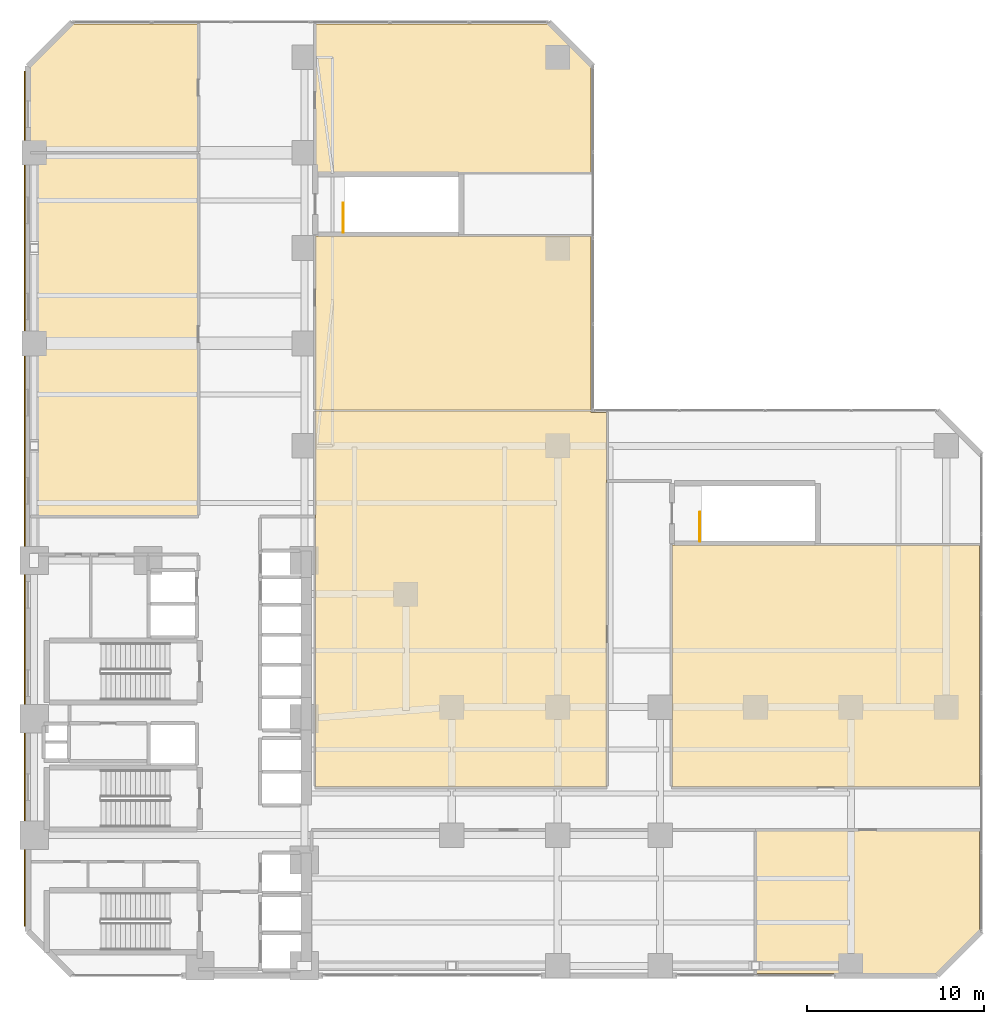
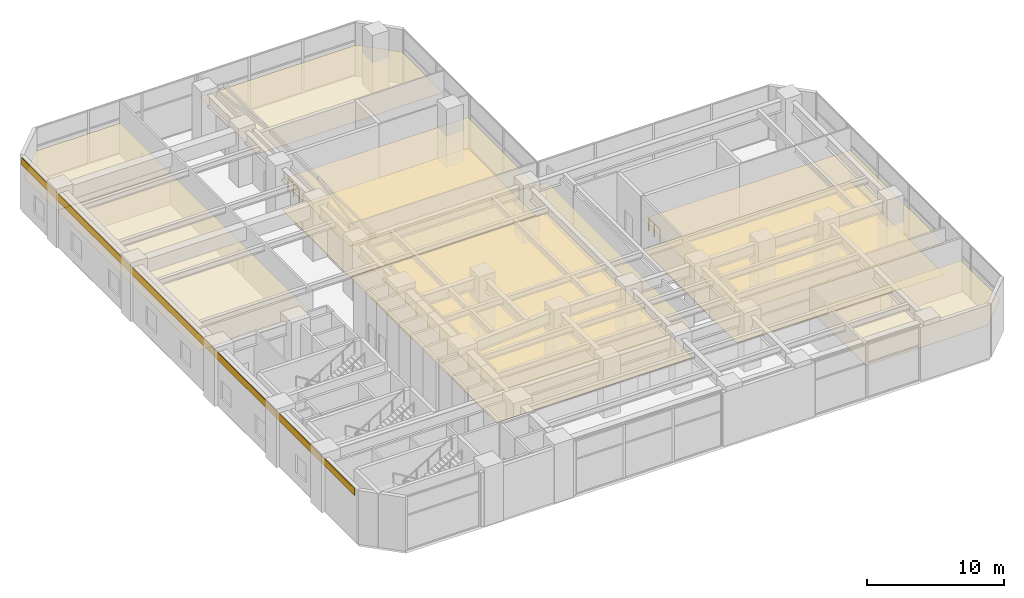
# One storey, part 29 of 29: 11 coverings, 2 railings.
"""IFC4 building model written with IfcOpenShell, lengths in metres."""

from ifc_helpers import new_model, si_unit, direction, frame, origin, origin_2d, place, context, subcontext, project, spatial, polyline, rectangle, outline, extrude, material, layer, layer_set, type_object, element, save


model = new_model("IFC4")

# Units and contexts
model_context = context("Model", 3, precision=1e-05, world=origin(), true_north=direction((0.0, 1.0)))
body_context = subcontext(model_context, "Body", "Model", "MODEL_VIEW")
ifc_project = project(units=[si_unit("LENGTHUNIT", "METRE"), si_unit("AREAUNIT", "SQUARE_METRE"), si_unit("VOLUMEUNIT", "CUBIC_METRE"), si_unit("PLANEANGLEUNIT", "RADIAN"), si_unit("MASSUNIT", "GRAM", prefix="KILO")], contexts=[model_context])

# Site, building, storey
site_placement = place(None, origin())
site = spatial("IfcSite", under=ifc_project, at=site_placement, CompositionType="ELEMENT")
building_placement = place(site_placement, origin())
building = spatial("IfcBuilding", under=site, at=building_placement, Name="Mawjaban Terraces University", CompositionType="ELEMENT")
storey_placement = place(building_placement, frame((0.0, 0.0, 20.800048828125)))
storey = spatial("IfcBuildingStorey", under=building, at=storey_placement, Name="L04", CompositionType="ELEMENT", Elevation=20.800048828125)

# Coverings
ifc_material_1 = material(Name="Acoustic mineral fibre ceiling tile", Category="masonry")
ifc_layer_1 = layer(ifc_material_1, 0.02001953125)
ifc_layer_set_1 = layer_set([ifc_layer_1], Name="Acoustic mineral fibre ceiling tile")
covering_type_1 = type_object("IfcCoveringType", Name="AcousticMineralCeiling_20", PredefinedType="CEILING", material=ifc_layer_set_1)
covering_1_placement = place(storey_placement, frame((0.0, 0.0, 2.75)))
element("IfcCovering", 1, at=covering_1_placement, inside=storey, type_object=covering_type_1, Name="L04 Central Library Main Reading Hall Acoustic Ceiling", PredefinedType="CEILING", context=body_context, shape_type="SweptSolid", body=[
    extrude(outline(polyline([(54.77001953125, 31.885009765625), (53.885009765625, 31.885009765625), (53.885009765625, 31.969970703125), (38.280029296875, 31.969970703125), (38.280029296875, 10.679931640625), (54.77001953125, 10.679931640625), (54.77001953125, 31.885009765625)])), origin(), (0.0, 0.0, 1.0), 0.02001953125),
])
covering_2_placement = place(storey_placement, frame((0.0, 0.0, 2.75)))
element("IfcCovering", 2, at=covering_2_placement, inside=storey, type_object=covering_type_1, Name="L04 Interdisciplinary Seminar Hall Acoustic Ceiling", PredefinedType="CEILING", context=body_context, shape_type="SweptSolid", body=[
    extrude(outline(polyline([(75.885009765625, 10.679931640625), (75.885009765625, 24.3701171875), (58.47998046875, 24.3701171875), (58.47998046875, 10.679931640625), (75.885009765625, 10.679931640625)])), origin(), (0.0, 0.0, 1.0), 0.02001953125),
])
covering_3_placement = place(storey_placement, frame((0.0, 0.0, 2.75)))
element("IfcCovering", 3, at=covering_3_placement, inside=storey, type_object=covering_type_1, Name="L04 Central Library Bookstack Hall Acoustic Ceiling", PredefinedType="CEILING", context=body_context, shape_type="SweptSolid", body=[
    extrude(outline(polyline([(22.114990234375, 46.570068359375), (22.114990234375, 26.030029296875), (31.6201171875, 26.030029296875), (31.6201171875, 46.570068359375), (22.114990234375, 46.570068359375)])), origin(), (0.0, 0.0, 1.0), 0.02001953125),
])
covering_4_placement = place(storey_placement, frame((0.0, 0.0, 2.75)))
element("IfcCovering", 4, at=covering_4_placement, inside=storey, type_object=covering_type_1, Name="L04 Library Cataloguing and Faculty Office Acoustic Ceiling", PredefinedType="CEILING", context=body_context, shape_type="SweptSolid", body=[
    extrude(outline(polyline([(31.6201171875, 53.885009765625), (24.547119140625, 53.885009765625), (22.114990234375, 51.452880859375), (22.114990234375, 46.6298828125), (31.6201171875, 46.6298828125), (31.6201171875, 53.885009765625)])), origin(), (0.0, 0.0, 1.0), 0.02001953125),
])
covering_5_placement = place(storey_placement, frame((0.0, 0.0, 2.75)))
element("IfcCovering", 5, at=covering_5_placement, inside=storey, type_object=covering_type_1, Name="L04 Digital Scholarship Reading Hall Acoustic Ceiling", PredefinedType="CEILING", context=body_context, shape_type="SweptSolid", body=[
    extrude(outline(polyline([(53.885009765625, 32.030029296875), (53.885009765625, 41.8701171875), (38.280029296875, 41.8701171875), (38.280029296875, 32.030029296875), (53.885009765625, 32.030029296875)])), origin(), (0.0, 0.0, 1.0), 0.02001953125),
])
covering_6_placement = place(storey_placement, frame((0.0, 0.0, 2.75)))
element("IfcCovering", 6, at=covering_6_placement, inside=storey, type_object=covering_type_1, Name="L04 Special Collections Study Room Acoustic Ceiling", PredefinedType="CEILING", context=body_context, shape_type="SweptSolid", body=[
    extrude(outline(polyline([(53.885009765625, 45.47998046875), (53.885009765625, 51.452880859375), (51.452880859375, 53.885009765625), (38.280029296875, 53.885009765625), (38.280029296875, 45.47998046875), (53.885009765625, 45.47998046875)])), origin(), (0.0, 0.0, 1.0), 0.02001953125),
])
covering_7_placement = place(storey_placement, frame((0.0, 0.0, 2.75)))
element("IfcCovering", 7, at=covering_7_placement, inside=storey, type_object=covering_type_1, Name="L04 Instructional Media Studio Acoustic Ceiling", PredefinedType="CEILING", context=body_context, shape_type="SweptSolid", body=[
    extrude(outline(polyline([(63.22998046875, 0.114990234375), (73.452880859375, 0.114990234375), (75.885009765625, 2.547119140625), (75.885009765625, 8.219970703125), (63.22998046875, 8.219970703125), (63.22998046875, 0.114990234375)])), origin(), (0.0, 0.0, 1.0), 0.02001953125),
])

# Railings
ifc_material_2 = material(Name="Galvanised painted steel S355", Category="steel")
railing_type = type_object("IfcRailingType", Name="StairWellGuard_1150", PredefinedType="BALUSTRADE", material=ifc_material_2)
for number, where, name in (
    (8, (39.85009765625, 42.10009765625, 0.0), "L04 ST-4 top well guard 1"),
    (9, (60.050048828125, 24.60009765625, 0.0), "L04 ST-5 top well guard 1"),
):
    element("IfcRailing", number, at=place(storey_placement, frame(where)), inside=storey, type_object=railing_type, Name=name, PredefinedType="BALUSTRADE", context=body_context, shape_type="SweptSolid", body=[
        extrude(rectangle(XDim=0.048095703125, YDim=0.048095703125, at=origin_2d()), frame((0.0, 0.0, 1.1259765625), z_axis=(0.0, 1.0, 0.0), x_axis=(-1.0, 0.0, 0.0)), (0.0, 0.0, 1.0), 1.64990234375),
        extrude(rectangle(XDim=0.0419921875, YDim=0.0419921875, at=origin_2d()), origin(), (0.0, 0.0, 1.0), 1.101806640625),
        extrude(rectangle(XDim=0.0419921875, YDim=0.0419921875, at=origin_2d()), frame((0.0, 0.824951171875, 0.0)), (0.0, 0.0, 1.0), 1.101806640625),
        extrude(rectangle(XDim=0.0419921875, YDim=0.0419921875, at=origin_2d()), frame((0.0, 1.64990234375, 0.0)), (0.0, 0.0, 1.0), 1.101806640625),
    ])

# Coverings
ifc_material_3 = material(Name="Glazed architectural terracotta rainscreen", Category="masonry")
ifc_layer_2 = layer(ifc_material_3, 0.06005859375)
ifc_layer_set_2 = layer_set([ifc_layer_2], Name="Glazed architectural terracotta rainscreen")
covering_type_2 = type_object("IfcCoveringType", Name="TerracottaSpandrelCladding_60", PredefinedType="CLADDING", material=ifc_layer_set_2)
covering_8_placement = place(storey_placement, frame((21.81494140625, 27.0, 4.10498046875), z_axis=(0.0, 0.0, 1.0), x_axis=(0.0, -1.0, 0.0)))
element("IfcCovering", 10, at=covering_8_placement, inside=storey, type_object=covering_type_2, Name="L04 Terracotta Spandrel Cladding 10", PredefinedType="CLADDING", context=body_context, shape_type="SweptSolid", body=[
    extrude(rectangle(XDim=48.39990234375, YDim=0.06005859375, at=origin_2d()), origin(), (0.0, 0.0, 1.0), 0.64990234375),
])
ifc_material_4 = material(Name="Polished Hijazi granite terrazzo flooring", Category="masonry")
ifc_layer_3 = layer(ifc_material_4, 0.02490234375)
ifc_layer_set_3 = layer_set([ifc_layer_3], Name="Polished Hijazi granite terrazzo flooring")
covering_type_3 = type_object("IfcCoveringType", Name="TerrazzoConcourseFlooring_25", PredefinedType="FLOORING", material=ifc_layer_set_3)
covering_9_placement = place(storey_placement, origin())
element("IfcCovering", 11, at=covering_9_placement, inside=storey, type_object=covering_type_3, Name="L04 Central Library Main Reading Hall Terrazzo Flooring", PredefinedType="FLOORING", context=body_context, shape_type="SweptSolid", body=[
    extrude(outline(polyline([(54.77001953125, 31.885009765625), (53.885009765625, 31.885009765625), (53.885009765625, 31.969970703125), (38.280029296875, 31.969970703125), (38.280029296875, 10.679931640625), (54.77001953125, 10.679931640625), (54.77001953125, 31.885009765625)])), origin(), (0.0, 0.0, 1.0), 0.02490234375),
])
covering_10_placement = place(storey_placement, origin())
element("IfcCovering", 12, at=covering_10_placement, inside=storey, type_object=covering_type_3, Name="L04 Interdisciplinary Seminar Hall Terrazzo Flooring", PredefinedType="FLOORING", context=body_context, shape_type="SweptSolid", body=[
    extrude(outline(polyline([(75.885009765625, 10.679931640625), (75.885009765625, 24.3701171875), (58.47998046875, 24.3701171875), (58.47998046875, 10.679931640625), (75.885009765625, 10.679931640625)])), origin(), (0.0, 0.0, 1.0), 0.02490234375),
])
covering_11_placement = place(storey_placement, origin())
element("IfcCovering", 13, at=covering_11_placement, inside=storey, type_object=covering_type_3, Name="L04 Digital Scholarship Reading Hall Terrazzo Flooring", PredefinedType="FLOORING", context=body_context, shape_type="SweptSolid", body=[
    extrude(outline(polyline([(53.885009765625, 32.030029296875), (53.885009765625, 41.8701171875), (38.280029296875, 41.8701171875), (38.280029296875, 32.030029296875), (53.885009765625, 32.030029296875)])), origin(), (0.0, 0.0, 1.0), 0.02490234375),
])

save(model, "model.ifc")
